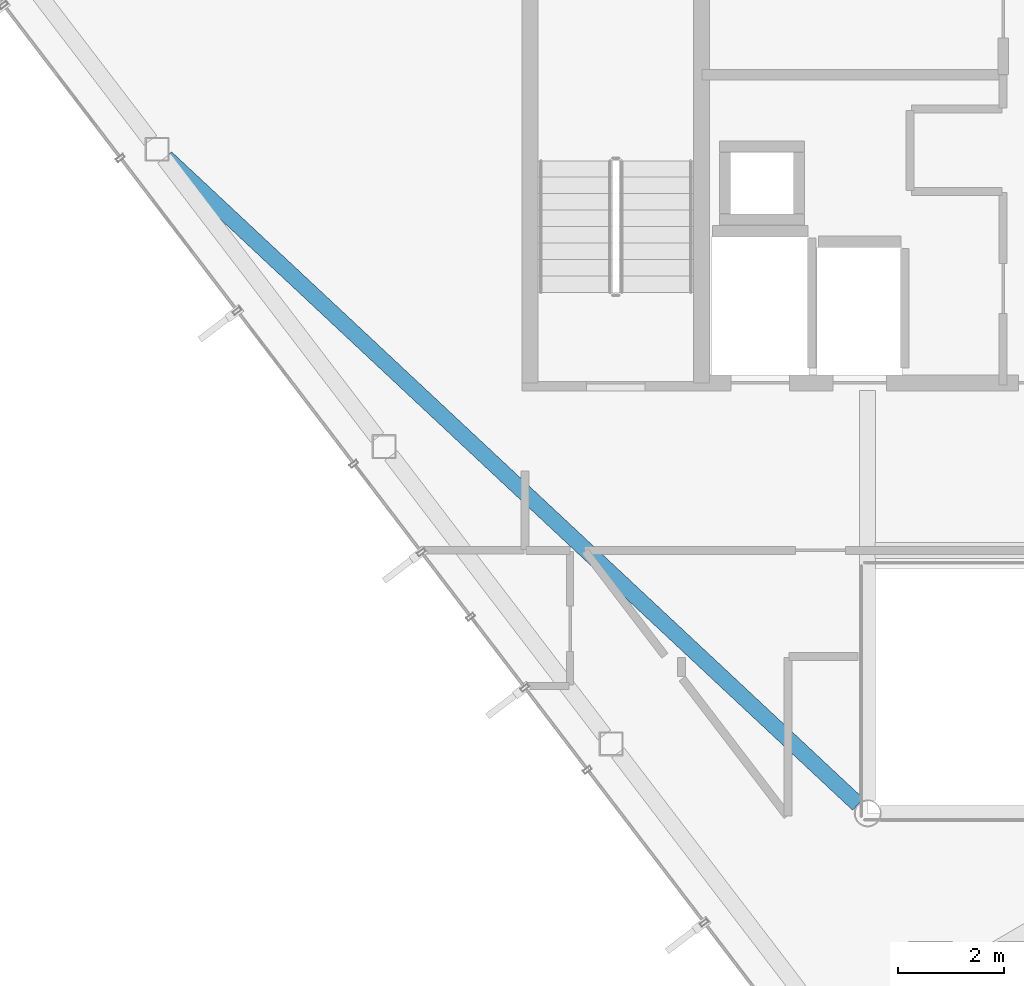
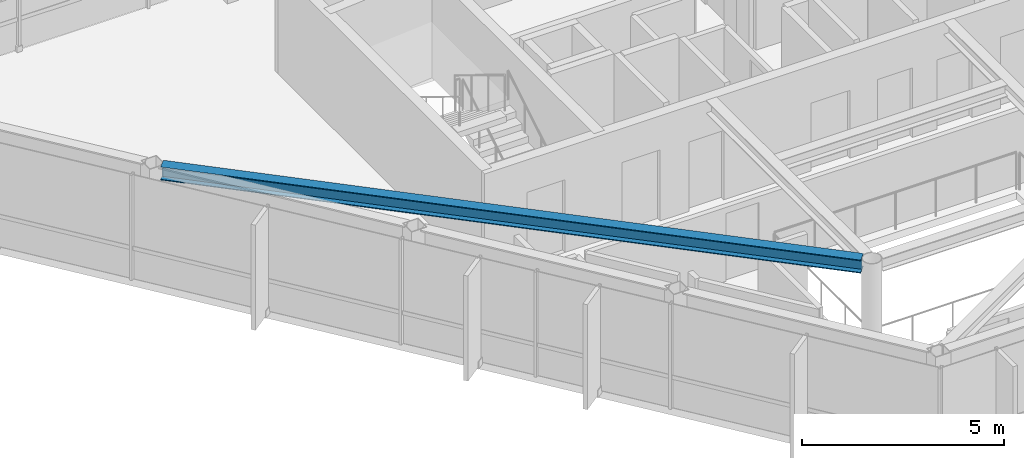
# One storey, part 6 of 22: 1 beam.
"""IFC4 building model written with IfcOpenShell, lengths in metres."""

from ifc_helpers import new_model, si_unit, direction, frame, origin, origin_2d, place, context, subcontext, project, spatial, i_section, extrude, material, material_profile, profile_set, type_object, element, save


model = new_model("IFC4")

# Units and contexts
model_context = context("Model", 3, precision=1e-05, world=origin(), true_north=direction((0.0, 1.0)))
body_context = subcontext(model_context, "Body", "Model", "MODEL_VIEW")
ifc_project = project(units=[si_unit("LENGTHUNIT", "METRE"), si_unit("AREAUNIT", "SQUARE_METRE"), si_unit("VOLUMEUNIT", "CUBIC_METRE"), si_unit("PLANEANGLEUNIT", "RADIAN"), si_unit("MASSUNIT", "GRAM", prefix="KILO")], contexts=[model_context])

# Site, building, storey
site_placement = place(None, origin())
site = spatial("IfcSite", under=ifc_project, at=site_placement, CompositionType="ELEMENT")
building_placement = place(site_placement, origin())
building = spatial("IfcBuilding", under=site, at=building_placement, Name="Zarrinselat Tower", CompositionType="ELEMENT")
storey_placement = place(building_placement, frame((0.0, 0.0, 289.0)))
storey = spatial("IfcBuildingStorey", under=building, at=storey_placement, Name="L74", CompositionType="ELEMENT", Elevation=289.0)

# Beam
ifc_material = material(Name="Steel S355J2", Category="steel")
ifc_material_profile = material_profile(ifc_material, i_section(OverallWidth=0.300048828125, OverallDepth=0.39990234375, WebThickness=0.013427734375, FlangeThickness=0.02392578125, at=origin_2d()), Name="HEB 400")
ifc_profile_set = profile_set([ifc_material_profile], Name="Steel S355J2")
beam_type = type_object("IfcBeamType", Name="BM-HEB400", PredefinedType="BEAM", material=ifc_profile_set)
beam_placement = place(storey_placement, frame((21.79736328125, 37.541015625, 2.97998046875), z_axis=(0.730540309461, -0.682869574848, 0.0), x_axis=(0.682869574848, 0.730540309461, 0.0)))
element("IfcBeam", 1, at=beam_placement, inside=storey, type_object=beam_type, Name="L74 Radial Primary Girder RG07", PredefinedType="BEAM", context=body_context, shape_type="SweptSolid", body=[
    extrude(i_section(OverallWidth=0.300048828125, OverallDepth=0.39990234375, WebThickness=0.013427734375, FlangeThickness=0.02392578125, at=origin_2d()), origin(), (0.0, 0.0, 1.0), 17.822509765625),
])

save(model, "model.ifc")
